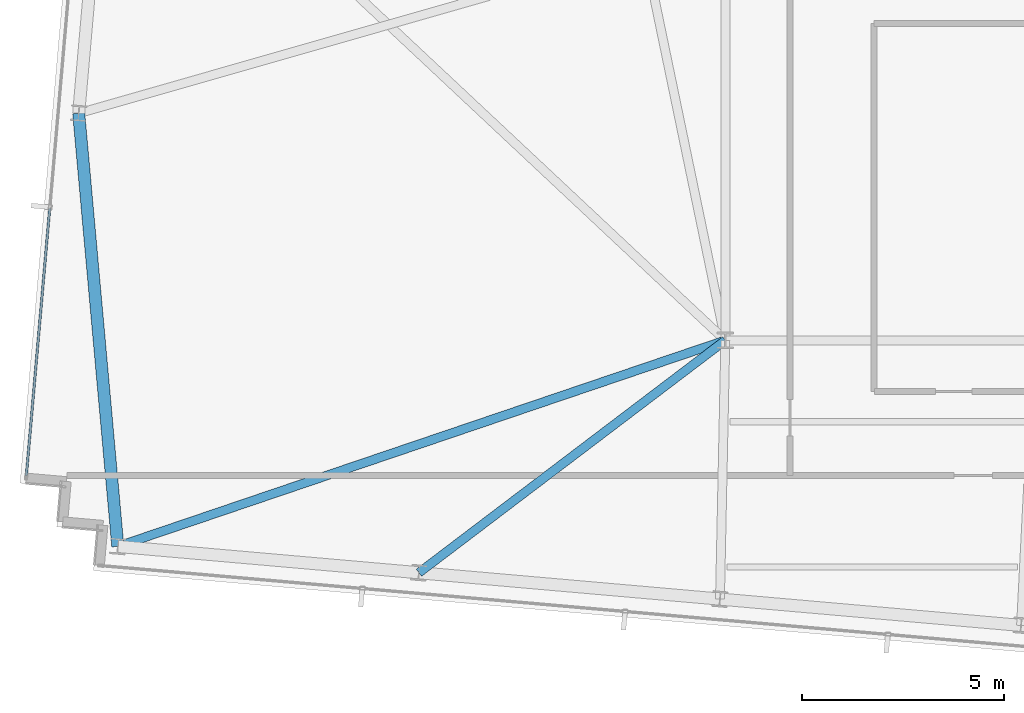
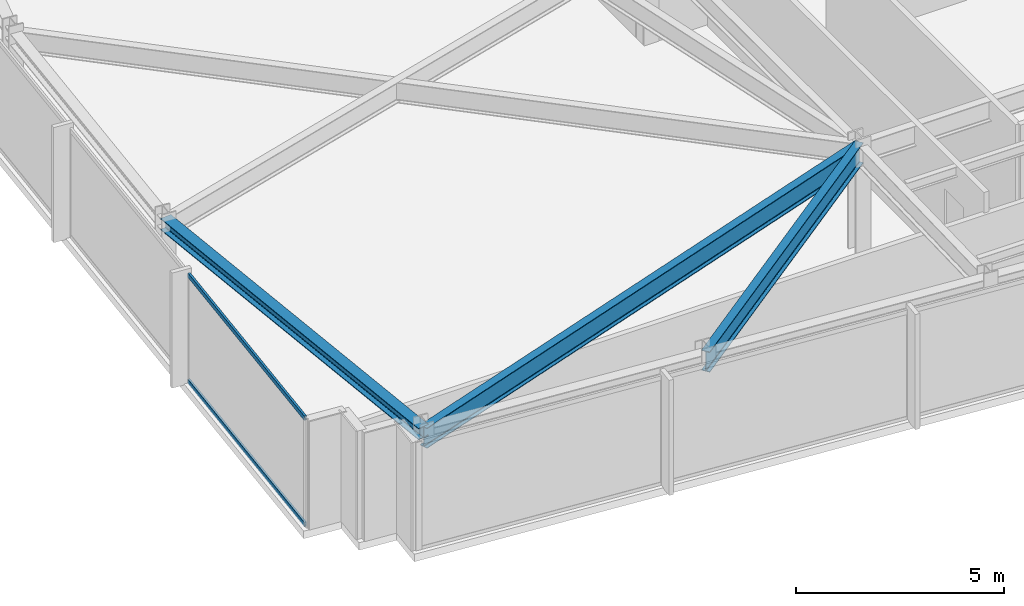
# One storey, part 4 of 32: 3 beams, 2 members, 1 element without a shape of its own.
"""IFC4 building model written with IfcOpenShell, lengths in metres."""

from ifc_helpers import new_model, si_unit, direction, frame, origin, origin_2d, place, context, subcontext, project, spatial, hollow_rectangle, i_section, extrude, material, material_profile, profile_set, type_object, element, aggregate, save


model = new_model("IFC4")

# Units and contexts
model_context = context("Model", 3, precision=1e-05, world=origin(), true_north=direction((0.0, 1.0)))
body_context = subcontext(model_context, "Body", "Model", "MODEL_VIEW")
ifc_project = project(units=[si_unit("LENGTHUNIT", "METRE"), si_unit("AREAUNIT", "SQUARE_METRE"), si_unit("VOLUMEUNIT", "CUBIC_METRE"), si_unit("PLANEANGLEUNIT", "RADIAN"), si_unit("MASSUNIT", "GRAM", prefix="KILO")], contexts=[model_context])

# Site, building, storey
site_placement = place(None, origin())
site = spatial("IfcSite", under=ifc_project, at=site_placement, CompositionType="ELEMENT")
building_placement = place(site_placement, origin())
building = spatial("IfcBuilding", under=site, at=building_placement, Name="Yelkora Congress Tower", CompositionType="ELEMENT")
storey_placement = place(building_placement, frame((0.0, 0.0, 276.10009765625)))
storey = spatial("IfcBuildingStorey", under=building, at=storey_placement, Name="L77", CompositionType="ELEMENT", Elevation=276.10009765625)

# Beams
ifc_material_1 = material(Name="Steel S355J2", Category="steel")
ifc_material_profile_1 = material_profile(ifc_material_1, i_section(OverallWidth=0.219970703125, OverallDepth=0.60009765625, WebThickness=0.011962890625, FlangeThickness=0.01904296875, FilletRadius=0.02392578125, at=origin_2d()), Name="IPE 600")
ifc_profile_set_1 = profile_set([ifc_material_profile_1], Name="Steel S355J2")
beam_type_1 = type_object("IfcBeamType", Name="BM-GIRD-IPE600", PredefinedType="BEAM", material=ifc_profile_set_1)
beam_1_placement = place(storey_placement, frame((7.998046875, 20.097900390625, 2.8798828125), z_axis=(0.947007090502, 0.321212656257, 0.0), x_axis=(-0.321212656257, 0.947007090502, 0.0)))
element("IfcBeam", 1, at=beam_1_placement, inside=storey, type_object=beam_type_1, Name="L77 Primary Frame Girder S01", PredefinedType="BEAM", context=body_context, shape_type="SweptSolid", body=[
    extrude(i_section(OverallWidth=0.219970703125, OverallDepth=0.60009765625, WebThickness=0.011962890625, FlangeThickness=0.01904296875, FilletRadius=0.02392578125, at=origin_2d()), origin(), (0.0, 0.0, 1.0), 15.8837890625),
])
beam_2_placement = place(storey_placement, frame((15.452880859375, 19.445556640625, 2.8798828125), z_axis=(0.79676107913, 0.6042944504, 0.0), x_axis=(-0.6042944504, 0.79676107913, 0.0)))
element("IfcBeam", 2, at=beam_2_placement, inside=storey, type_object=beam_type_1, Name="L77 Primary Frame Girder S02", PredefinedType="BEAM", context=body_context, shape_type="SweptSolid", body=[
    extrude(i_section(OverallWidth=0.219970703125, OverallDepth=0.60009765625, WebThickness=0.011962890625, FlangeThickness=0.01904296875, FilletRadius=0.02392578125, at=origin_2d()), origin(), (0.0, 0.0, 1.0), 9.5224609375),
])
ifc_material_profile_2 = material_profile(ifc_material_1, i_section(OverallWidth=0.300048828125, OverallDepth=0.340087890625, WebThickness=0.011962890625, FlangeThickness=0.021484375, FilletRadius=0.027099609375, at=origin_2d()), Name="HEB 340")
ifc_profile_set_2 = profile_set([ifc_material_profile_2], Name="Steel S355J2")
beam_type_2 = type_object("IfcBeamType", Name="BM-SPAN-HEB340", PredefinedType="SPANDREL", material=ifc_profile_set_2)
beam_3_placement = place(storey_placement, frame((7.029052734375, 30.822998046875, 3.010009765625), z_axis=(0.08998177561, -0.995943412076, 0.0), x_axis=(0.995943412076, 0.08998177561, 0.0)))
element("IfcBeam", 3, at=beam_3_placement, inside=storey, type_object=beam_type_2, Name="L77 Perimeter Beam 15", PredefinedType="SPANDREL", context=body_context, shape_type="SweptSolid", body=[
    extrude(i_section(OverallWidth=0.300048828125, OverallDepth=0.340087890625, WebThickness=0.011962890625, FlangeThickness=0.021484375, FilletRadius=0.027099609375, at=origin_2d()), origin(), (0.0, 0.0, 1.0), 10.768798828125),
])

# Curtain wall, members
ifc_material_2 = material(Name="Anodised aluminium and insulated glass", Category="aluminium")
curtain_wall_type = type_object("IfcCurtainWallType", Name="CW-SYS-B5", PredefinedType="NOTDEFINED", material=ifc_material_2)
curtain_wall_placement = place(storey_placement, origin())
curtain_wall = element("IfcCurtainWall", 4, at=curtain_wall_placement, inside=storey, type_object=curtain_wall_type, Name="L77 Unitised Curtain Wall 5", PredefinedType="NOTDEFINED")
ifc_material_3 = material(Name="Anodised aluminium 6063-T6", Category="aluminium")
ifc_material_profile_3 = material_profile(ifc_material_3, hollow_rectangle(XDim=0.06005859375, YDim=0.1298828125, WallThickness=0.00390625, at=origin_2d()), Name="ALU 60x130x4")
ifc_profile_set_3 = profile_set([ifc_material_profile_3], Name="Anodised aluminium 6063-T6")
member_type = type_object("IfcMemberType", Name="MEM-TR-B5", PredefinedType="USERDEFINED", material=ifc_profile_set_3)
member_1_placement = place(storey_placement, frame((5.732666015625, 21.85693359375, 0.02978515625), z_axis=(0.08716649365, 0.996193757451, 0.0), x_axis=(-0.996193757451, 0.08716649365, 0.0)))
member_1 = element("IfcMember", 5, at=member_1_placement, type_object=member_type, Name="CW-B5 transom 1.1", ObjectType="TRANSOM", PredefinedType="USERDEFINED", context=body_context, shape_type="SweptSolid", body=[
    extrude(hollow_rectangle(XDim=0.06005859375, YDim=0.1298828125, WallThickness=0.00390625, at=origin_2d()), origin(), (0.0, 0.0, 1.0), 6.63232421875),
])
member_2_placement = place(storey_placement, frame((5.732666015625, 21.85693359375, 3.14990234375), z_axis=(0.08716649365, 0.996193757451, 0.0), x_axis=(-0.996193757451, 0.08716649365, 0.0)))
member_2 = element("IfcMember", 6, at=member_2_placement, type_object=member_type, Name="CW-B5 transom 1.2", ObjectType="TRANSOM", PredefinedType="USERDEFINED", context=body_context, shape_type="SweptSolid", body=[
    extrude(hollow_rectangle(XDim=0.06005859375, YDim=0.1298828125, WallThickness=0.00390625, at=origin_2d()), origin(), (0.0, 0.0, 1.0), 6.63232421875),
])
aggregate(curtain_wall, [member_1, member_2])

save(model, "model.ifc")
